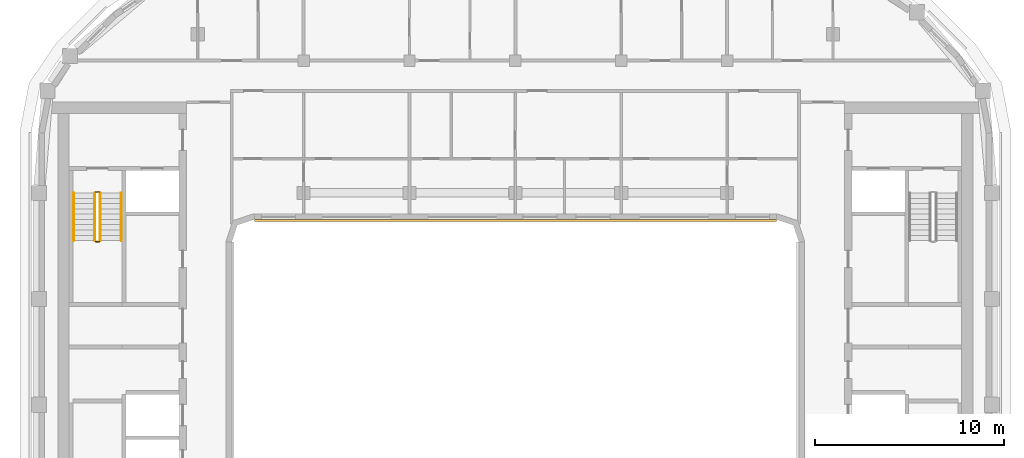
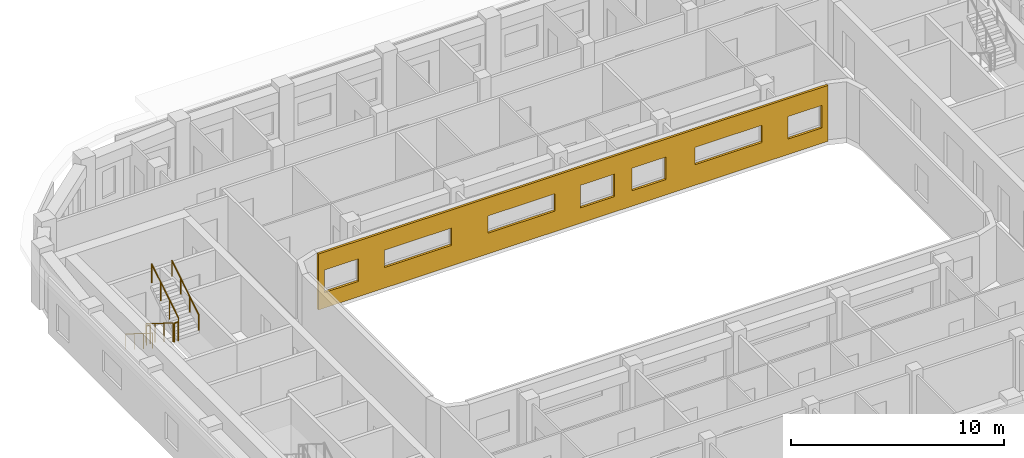
# One storey, part 12 of 16: 6 railings, 1 covering.
"""IFC4 building model written with IfcOpenShell, lengths in metres."""

from ifc_helpers import new_model, si_unit, direction, frame, origin, origin_2d, place, context, subcontext, project, spatial, polyline, circle, outline, extrude, material, layer, layer_set, type_object, element, save


model = new_model("IFC4")

# Units and contexts
model_context = context("Model", 3, precision=1e-05, world=origin(), true_north=direction((0.0, 1.0)))
body_context = subcontext(model_context, "Body", "Model", "MODEL_VIEW")
ifc_project = project(units=[si_unit("LENGTHUNIT", "METRE"), si_unit("AREAUNIT", "SQUARE_METRE"), si_unit("VOLUMEUNIT", "CUBIC_METRE"), si_unit("PLANEANGLEUNIT", "RADIAN"), si_unit("MASSUNIT", "GRAM", prefix="KILO")], contexts=[model_context])

# Site, building, storey
site_placement = place(None, origin())
site = spatial("IfcSite", under=ifc_project, at=site_placement, CompositionType="ELEMENT")
building_placement = place(site_placement, origin())
building = spatial("IfcBuilding", under=site, at=building_placement, Name="Kiln Ring Residences", CompositionType="ELEMENT")
storey_placement = place(building_placement, frame((0.0, 0.0, 255.699951171875)))
storey = spatial("IfcBuildingStorey", under=building, at=storey_placement, Name="L66", CompositionType="ELEMENT", Elevation=255.699951171875)

# Railings
ifc_material_1 = material(Name="Stainless steel", Category="steel")
railing_type_1 = type_object("IfcRailingType", Name="CORE-STAIR-GUARD", PredefinedType="GUARDRAIL", material=ifc_material_1)
railing_1_placement = place(storey_placement, frame((-22.25, 8.39990234375, 0.175048828125)))
element("IfcRailing", 1, at=railing_1_placement, inside=storey, type_object=railing_type_1, Name="L66 W-STN stair guard 1", PredefinedType="GUARDRAIL", context=body_context, shape_type="SweptSolid", body=[
    extrude(circle(Radius=0.02392578125, at=origin_2d()), frame((0.0, 0.0, 1.076171875), z_axis=(0.0, -0.848007534815, 0.529984170421), x_axis=(1.0, 0.0, 0.0)), (0.0, 0.0, 1.0), 2.9716796875),
    extrude(circle(Radius=0.02099609375, at=origin_2d()), origin(), (0.0, 0.0, 1.0), 1.052001953125),
    extrude(circle(Radius=0.02099609375, at=origin_2d()), frame((0.0, -0.840087890625, 0.52490234375)), (0.0, 0.0, 1.0), 1.052001953125),
    extrude(circle(Radius=0.02099609375, at=origin_2d()), frame((0.0, -1.679931640625, 1.050048828125)), (0.0, 0.0, 1.0), 1.052001953125),
    extrude(circle(Radius=0.02099609375, at=origin_2d()), frame((0.0, -2.52001953125, 1.574951171875)), (0.0, 0.0, 1.0), 1.052001953125),
])
railing_2_placement = place(storey_placement, frame((-22.199951171875, 5.830078125, 1.75)))
element("IfcRailing", 2, at=railing_2_placement, inside=storey, type_object=railing_type_1, Name="L66 W-STN stair guard 2", PredefinedType="GUARDRAIL", context=body_context, shape_type="SweptSolid", body=[
    extrude(circle(Radius=0.02392578125, at=origin_2d()), frame((0.0, 0.0, 1.076171875), z_axis=(1.0, 0.0, 0.0), x_axis=(0.0, 1.0, 0.0)), (0.0, 0.0, 1.0), 0.199951171875),
    extrude(circle(Radius=0.02099609375, at=origin_2d()), origin(), (0.0, 0.0, 1.0), 1.052001953125),
    extrude(circle(Radius=0.02099609375, at=origin_2d()), frame((0.199951171875, 0.0, 0.0)), (0.0, 0.0, 1.0), 1.052001953125),
])
railing_3_placement = place(storey_placement, frame((-21.949951171875, 5.8798828125, 1.925048828125)))
element("IfcRailing", 3, at=railing_3_placement, inside=storey, type_object=railing_type_1, Name="L66 W-STN stair guard 3", PredefinedType="GUARDRAIL", context=body_context, shape_type="SweptSolid", body=[
    extrude(circle(Radius=0.02392578125, at=origin_2d()), frame((0.0, 0.0, 1.076171875), z_axis=(0.0, 0.848007534815, 0.529984170421), x_axis=(-1.0, 0.0, 0.0)), (0.0, 0.0, 1.0), 2.9716796875),
    extrude(circle(Radius=0.02099609375, at=origin_2d()), origin(), (0.0, 0.0, 1.0), 1.052001953125),
    extrude(circle(Radius=0.02099609375, at=origin_2d()), frame((0.0, 0.840087890625, 0.52490234375)), (0.0, 0.0, 1.0), 1.052001953125),
    extrude(circle(Radius=0.02099609375, at=origin_2d()), frame((0.0, 1.679931640625, 1.050048828125)), (0.0, 0.0, 1.0), 1.052001953125),
    extrude(circle(Radius=0.02099609375, at=origin_2d()), frame((0.0, 2.52001953125, 1.574951171875)), (0.0, 0.0, 1.0), 1.052001953125),
])
railing_4_placement = place(storey_placement, frame((-22.199951171875, 8.449951171875, 0.0)))
element("IfcRailing", 4, at=railing_4_placement, inside=storey, type_object=railing_type_1, Name="L66 W-STN stair guard 4", PredefinedType="GUARDRAIL", context=body_context, shape_type="SweptSolid", body=[
    extrude(circle(Radius=0.02392578125, at=origin_2d()), frame((0.0, 0.0, 1.076171875), z_axis=(1.0, 0.0, 0.0), x_axis=(0.0, 1.0, 0.0)), (0.0, 0.0, 1.0), 0.199951171875),
    extrude(circle(Radius=0.02099609375, at=origin_2d()), origin(), (0.0, 0.0, 1.0), 1.052001953125),
    extrude(circle(Radius=0.02099609375, at=origin_2d()), frame((0.199951171875, 0.0, 0.0)), (0.0, 0.0, 1.0), 1.052001953125),
])
ifc_material_2 = material(Name="Stainless steel", Category="steel")
railing_type_2 = type_object("IfcRailingType", Name="CORE-STAIR-HANDRAIL", PredefinedType="HANDRAIL", material=ifc_material_2)
railing_5_placement = place(storey_placement, frame((-23.35009765625, 8.39990234375, 0.175048828125)))
element("IfcRailing", 5, at=railing_5_placement, inside=storey, type_object=railing_type_2, Name="L66 W-STN stair handrail 1", PredefinedType="HANDRAIL", context=body_context, shape_type="SweptSolid", body=[
    extrude(circle(Radius=0.02392578125, at=origin_2d()), frame((0.0, 0.0, 0.8759765625), z_axis=(0.0, -0.848007534815, 0.529984170421), x_axis=(1.0, 0.0, 0.0)), (0.0, 0.0, 1.0), 2.9716796875),
    extrude(circle(Radius=0.02099609375, at=origin_2d()), origin(), (0.0, 0.0, 1.0), 0.851806640625),
    extrude(circle(Radius=0.02099609375, at=origin_2d()), frame((0.0, -0.840087890625, 0.52490234375)), (0.0, 0.0, 1.0), 0.851806640625),
    extrude(circle(Radius=0.02099609375, at=origin_2d()), frame((0.0, -1.679931640625, 1.050048828125)), (0.0, 0.0, 1.0), 0.851806640625),
    extrude(circle(Radius=0.02099609375, at=origin_2d()), frame((0.0, -2.52001953125, 1.574951171875)), (0.0, 0.0, 1.0), 0.851806640625),
])
railing_6_placement = place(storey_placement, frame((-20.85009765625, 5.8798828125, 1.925048828125)))
element("IfcRailing", 6, at=railing_6_placement, inside=storey, type_object=railing_type_2, Name="L66 W-STN stair handrail 2", PredefinedType="HANDRAIL", context=body_context, shape_type="SweptSolid", body=[
    extrude(circle(Radius=0.02392578125, at=origin_2d()), frame((0.0, 0.0, 0.8759765625), z_axis=(0.0, 0.848007534815, 0.529984170421), x_axis=(-1.0, 0.0, 0.0)), (0.0, 0.0, 1.0), 2.9716796875),
    extrude(circle(Radius=0.02099609375, at=origin_2d()), origin(), (0.0, 0.0, 1.0), 0.851806640625),
    extrude(circle(Radius=0.02099609375, at=origin_2d()), frame((0.0, 0.840087890625, 0.52490234375)), (0.0, 0.0, 1.0), 0.851806640625),
    extrude(circle(Radius=0.02099609375, at=origin_2d()), frame((0.0, 1.679931640625, 1.050048828125)), (0.0, 0.0, 1.0), 0.851806640625),
    extrude(circle(Radius=0.02099609375, at=origin_2d()), frame((0.0, 2.52001953125, 1.574951171875)), (0.0, 0.0, 1.0), 0.851806640625),
])

# Covering
ifc_material_3 = material(Name="Brick masonry, dark clay brick", Category="masonry")
ifc_layer = layer(ifc_material_3, 0.1201171875)
ifc_layer_set = layer_set([ifc_layer], Name="RAINSCREEN PANEL 120")
covering_type = type_object("IfcCoveringType", Name="RAINSCREEN PANEL 120", PredefinedType="CLADDING", material=ifc_layer_set)
covering_placement = place(storey_placement, frame((-13.800048828125, 6.93994140625, 0.0), z_axis=(0.0, 0.0, 1.0), x_axis=(1.0, 0.0, 0.0)))
element("IfcCovering", 7, at=covering_placement, inside=storey, type_object=covering_type, Name="RAINSCREEN L66", PredefinedType="CLADDING", context=body_context, shape_type="SweptSolid", body=[
    extrude(outline(polyline([(0.0, 0.0), (27.60009765625, 0.0), (27.60009765625, 3.199951171875), (0.0, 3.199951171875), (0.0, 0.0)]), holes=[polyline([(2.1826171875, 0.880126953125), (2.1826171875, 2.170166015625), (0.342529296875, 2.170166015625), (0.342529296875, 0.880126953125), (2.1826171875, 0.880126953125)]), polyline([(14.179931640625, 0.880126953125), (16.02001953125, 0.880126953125), (16.02001953125, 2.170166015625), (14.179931640625, 2.170166015625), (14.179931640625, 0.880126953125)]), polyline([(16.97998046875, 0.880126953125), (18.820068359375, 0.880126953125), (18.820068359375, 2.170166015625), (16.97998046875, 2.170166015625), (16.97998046875, 0.880126953125)]), polyline([(25.41748046875, 0.880126953125), (27.257568359375, 0.880126953125), (27.257568359375, 2.170166015625), (25.41748046875, 2.170166015625), (25.41748046875, 0.880126953125)]), polyline([(3.580078125, 1.179931640625), (7.219970703125, 1.179931640625), (7.219970703125, 2.170166015625), (3.580078125, 2.170166015625), (3.580078125, 1.179931640625)]), polyline([(9.179931640625, 1.179931640625), (12.820068359375, 1.179931640625), (12.820068359375, 2.170166015625), (9.179931640625, 2.170166015625), (9.179931640625, 1.179931640625)]), polyline([(20.3798828125, 1.179931640625), (24.02001953125, 1.179931640625), (24.02001953125, 2.170166015625), (20.3798828125, 2.170166015625), (20.3798828125, 1.179931640625)])]), frame((0.0, 0.06005859375, 0.0), z_axis=(0.0, -1.0, 0.0), x_axis=(1.0, 0.0, 0.0)), (0.0, 0.0, 1.0), 0.1201171875),
])

save(model, "model.ifc")
